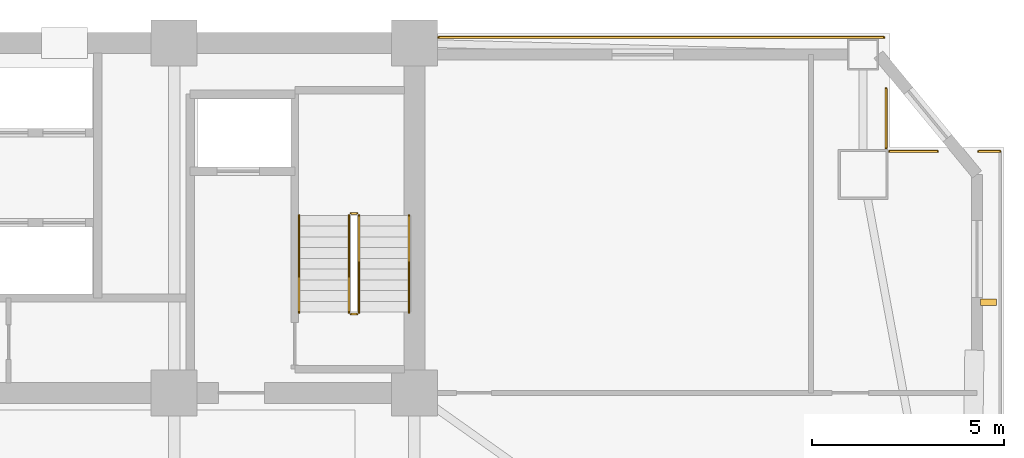
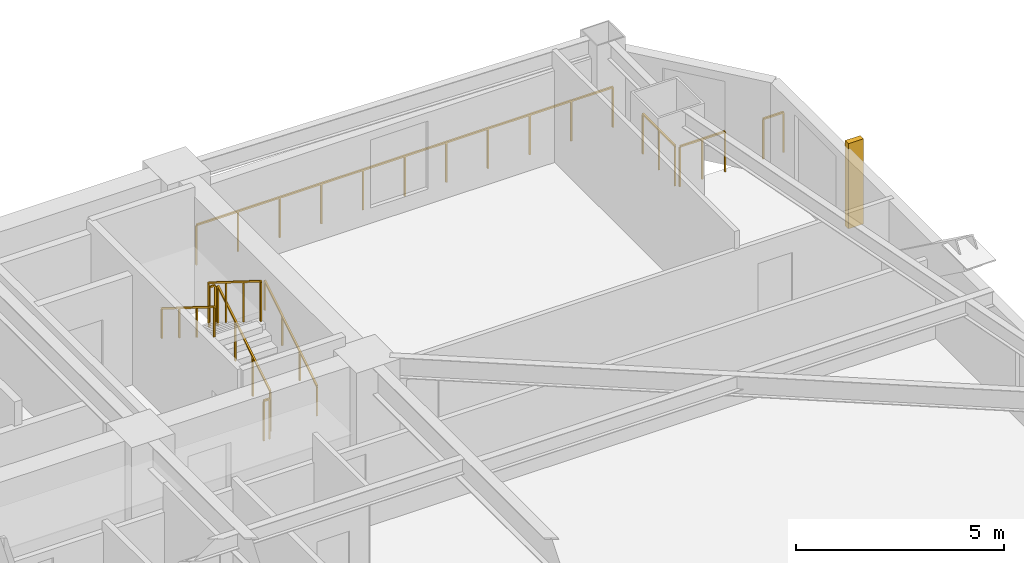
# One storey, part 17 of 17: 10 railings, 1 shading device.
"""IFC4 building model written with IfcOpenShell, lengths in metres."""

from ifc_helpers import new_model, si_unit, direction, frame, origin, origin_2d, place, context, subcontext, project, spatial, rectangle, extrude, source, transform, mapped, material, type_object, element, save


model = new_model("IFC4")

# Units and contexts
model_context = context("Model", 3, precision=1e-05, world=origin(), true_north=direction((0.0, 1.0)))
body_context = subcontext(model_context, "Body", "Model", "MODEL_VIEW")
ifc_project = project(units=[si_unit("LENGTHUNIT", "METRE"), si_unit("AREAUNIT", "SQUARE_METRE"), si_unit("VOLUMEUNIT", "CUBIC_METRE"), si_unit("PLANEANGLEUNIT", "RADIAN"), si_unit("MASSUNIT", "GRAM", prefix="KILO")], contexts=[model_context])

# Site, building, storey
site_placement = place(None, origin())
site = spatial("IfcSite", under=ifc_project, at=site_placement, CompositionType="ELEMENT")
building_placement = place(site_placement, origin())
building = spatial("IfcBuilding", under=site, at=building_placement, Name="Giltprow Tower", CompositionType="ELEMENT")
storey_placement = place(building_placement, frame((0.0, 0.0, 141.199951171875)))
storey = spatial("IfcBuildingStorey", under=building, at=storey_placement, Name="L34", CompositionType="ELEMENT", Elevation=141.199951171875)

# Railings
ifc_material = material(Name="Anodized bronze", Category="metal")
railing_type_1 = type_object("IfcRailingType", Name="RAIL-BALC-GUARD-1200", PredefinedType="BALUSTRADE", material=ifc_material)
railing_1_placement = place(storey_placement, frame((51.18505859375, 46.698974609375, 0.0)))
element("IfcRailing", 1, at=railing_1_placement, inside=storey, type_object=railing_type_1, Name="L34 Corner Apron Edge Balustrade 10", PredefinedType="BALUSTRADE", context=body_context, shape_type="SweptSolid", body=[
    extrude(rectangle(XDim=0.048095703125, YDim=0.048095703125, at=origin_2d()), frame((0.0, 0.0, 1.17578125), z_axis=(1.0, 0.0, 0.0), x_axis=(0.0, 1.0, 0.0)), (0.0, 0.0, 1.0), 11.572021484375),
    extrude(rectangle(XDim=0.0419921875, YDim=0.0419921875, at=origin_2d()), origin(), (0.0, 0.0, 1.0), 1.15185546875),
    extrude(rectangle(XDim=0.0419921875, YDim=0.0419921875, at=origin_2d()), frame((1.1572265625, 0.0, 0.0)), (0.0, 0.0, 1.0), 1.15185546875),
    extrude(rectangle(XDim=0.0419921875, YDim=0.0419921875, at=origin_2d()), frame((2.314453125, 0.0, 0.0)), (0.0, 0.0, 1.0), 1.15185546875),
    extrude(rectangle(XDim=0.0419921875, YDim=0.0419921875, at=origin_2d()), frame((3.4716796875, 0.0, 0.0)), (0.0, 0.0, 1.0), 1.15185546875),
    extrude(rectangle(XDim=0.0419921875, YDim=0.0419921875, at=origin_2d()), frame((4.62890625, 0.0, 0.0)), (0.0, 0.0, 1.0), 1.15185546875),
    extrude(rectangle(XDim=0.0419921875, YDim=0.0419921875, at=origin_2d()), frame((5.7861328125, 0.0, 0.0)), (0.0, 0.0, 1.0), 1.15185546875),
    extrude(rectangle(XDim=0.0419921875, YDim=0.0419921875, at=origin_2d()), frame((6.943115234375, 0.0, 0.0)), (0.0, 0.0, 1.0), 1.15185546875),
    extrude(rectangle(XDim=0.0419921875, YDim=0.0419921875, at=origin_2d()), frame((8.100341796875, 0.0, 0.0)), (0.0, 0.0, 1.0), 1.15185546875),
    extrude(rectangle(XDim=0.0419921875, YDim=0.0419921875, at=origin_2d()), frame((9.257568359375, 0.0, 0.0)), (0.0, 0.0, 1.0), 1.15185546875),
    extrude(rectangle(XDim=0.0419921875, YDim=0.0419921875, at=origin_2d()), frame((10.414794921875, 0.0, 0.0)), (0.0, 0.0, 1.0), 1.15185546875),
    extrude(rectangle(XDim=0.0419921875, YDim=0.0419921875, at=origin_2d()), frame((11.572021484375, 0.0, 0.0)), (0.0, 0.0, 1.0), 1.15185546875),
])
railing_2_placement = place(storey_placement, frame((62.821044921875, 45.362060546875, 0.0)))
element("IfcRailing", 2, at=railing_2_placement, inside=storey, type_object=railing_type_1, Name="L34 Corner Apron Edge Balustrade 11", PredefinedType="BALUSTRADE", context=body_context, shape_type="SweptSolid", body=[
    extrude(rectangle(XDim=0.048095703125, YDim=0.048095703125, at=origin_2d()), frame((0.0, 0.0, 1.17578125), z_axis=(0.0, -1.0, 0.0), x_axis=(1.0, 0.0, 0.0)), (0.0, 0.0, 1.0), 1.54296875),
    extrude(rectangle(XDim=0.0419921875, YDim=0.0419921875, at=origin_2d()), origin(), (0.0, 0.0, 1.0), 1.15185546875),
    extrude(rectangle(XDim=0.0419921875, YDim=0.0419921875, at=origin_2d()), frame((0.0, -0.771484375, 0.0)), (0.0, 0.0, 1.0), 1.15185546875),
    extrude(rectangle(XDim=0.0419921875, YDim=0.0419921875, at=origin_2d()), frame((0.0, -1.54296875, 0.0)), (0.0, 0.0, 1.0), 1.15185546875),
])
railing_3_placement = place(storey_placement, frame((62.906005859375, 43.73388671875, 0.0)))
element("IfcRailing", 3, at=railing_3_placement, inside=storey, type_object=railing_type_1, Name="L34 Corner Apron Edge Balustrade 12", PredefinedType="BALUSTRADE", context=body_context, shape_type="SweptSolid", body=[
    extrude(rectangle(XDim=0.048095703125, YDim=0.048095703125, at=origin_2d()), frame((0.0, 0.0, 1.17578125), z_axis=(1.0, 0.0, 0.0), x_axis=(0.0, 1.0, 0.0)), (0.0, 0.0, 1.0), 1.2548828125),
    extrude(rectangle(XDim=0.0419921875, YDim=0.0419921875, at=origin_2d()), origin(), (0.0, 0.0, 1.0), 1.15185546875),
    extrude(rectangle(XDim=0.0419921875, YDim=0.0419921875, at=origin_2d()), frame((0.62744140625, 0.0, 0.0)), (0.0, 0.0, 1.0), 1.15185546875),
    extrude(rectangle(XDim=0.0419921875, YDim=0.0419921875, at=origin_2d()), frame((1.2548828125, 0.0, 0.0)), (0.0, 0.0, 1.0), 1.15185546875),
])
railing_4_placement = place(storey_placement, frame((65.222900390625, 43.73388671875, 0.0)))
element("IfcRailing", 4, at=railing_4_placement, inside=storey, type_object=railing_type_1, Name="L34 Corner Apron Edge Balustrade 13", PredefinedType="BALUSTRADE", context=body_context, shape_type="SweptSolid", body=[
    extrude(rectangle(XDim=0.048095703125, YDim=0.048095703125, at=origin_2d()), frame((0.0, 0.0, 1.17578125), z_axis=(1.0, 0.0, 0.0), x_axis=(0.0, 1.0, 0.0)), (0.0, 0.0, 1.0), 0.56298828125),
    extrude(rectangle(XDim=0.0419921875, YDim=0.0419921875, at=origin_2d()), origin(), (0.0, 0.0, 1.0), 1.15185546875),
    extrude(rectangle(XDim=0.0419921875, YDim=0.0419921875, at=origin_2d()), frame((0.56298828125, 0.0, 0.0)), (0.0, 0.0, 1.0), 1.15185546875),
])
railing_type_2 = type_object("IfcRailingType", Name="RAIL-STAIR-GUARD-1200", PredefinedType="GUARDRAIL", material=ifc_material)
railing_5_placement = place(storey_placement, frame((49.110107421875, 39.550048828125, 0.175048828125)))
element("IfcRailing", 5, at=railing_5_placement, inside=storey, type_object=railing_type_2, Name="L34 ST-3 stair guard 1", PredefinedType="GUARDRAIL", context=body_context, shape_type="SweptSolid", body=[
    extrude(rectangle(XDim=0.048095703125, YDim=0.048095703125, at=origin_2d()), frame((0.0, 0.0, 1.17578125), z_axis=(0.0, 0.848007534815, 0.529984170421), x_axis=(-1.0, 0.0, 0.0)), (0.0, 0.0, 1.0), 2.9716796875),
    extrude(rectangle(XDim=0.0419921875, YDim=0.0419921875, at=origin_2d()), origin(), (0.0, 0.0, 1.0), 1.15185546875),
    extrude(rectangle(XDim=0.0419921875, YDim=0.0419921875, at=origin_2d()), frame((0.0, 0.840087890625, 0.52490234375)), (0.0, 0.0, 1.0), 1.15185546875),
    extrude(rectangle(XDim=0.0419921875, YDim=0.0419921875, at=origin_2d()), frame((0.0, 1.679931640625, 1.050048828125)), (0.0, 0.0, 1.0), 1.15185546875),
    extrude(rectangle(XDim=0.0419921875, YDim=0.0419921875, at=origin_2d()), frame((0.0, 2.52001953125, 1.574951171875)), (0.0, 0.0, 1.0), 1.15185546875),
])
railing_6_placement = place(storey_placement, frame((49.06005859375, 42.1201171875, 1.75)))
element("IfcRailing", 6, at=railing_6_placement, inside=storey, type_object=railing_type_2, Name="L34 ST-3 stair guard 2", PredefinedType="GUARDRAIL", context=body_context, shape_type="SweptSolid", body=[
    extrude(rectangle(XDim=0.048095703125, YDim=0.048095703125, at=origin_2d()), frame((0.0, 0.0, 1.17578125), z_axis=(-1.0, 0.0, 0.0), x_axis=(0.0, -1.0, 0.0)), (0.0, 0.0, 1.0), 0.16015625),
    extrude(rectangle(XDim=0.0419921875, YDim=0.0419921875, at=origin_2d()), origin(), (0.0, 0.0, 1.0), 1.15185546875),
    extrude(rectangle(XDim=0.0419921875, YDim=0.0419921875, at=origin_2d()), frame((-0.16015625, 0.0, 0.0)), (0.0, 0.0, 1.0), 1.15185546875),
])
railing_7_placement = place(storey_placement, frame((48.85009765625, 42.070068359375, 1.925048828125)))
element("IfcRailing", 7, at=railing_7_placement, inside=storey, type_object=railing_type_2, Name="L34 ST-3 stair guard 3", PredefinedType="GUARDRAIL", context=body_context, shape_type="SweptSolid", body=[
    extrude(rectangle(XDim=0.048095703125, YDim=0.048095703125, at=origin_2d()), frame((0.0, 0.0, 1.17578125), z_axis=(0.0, -0.848007534815, 0.529984170421), x_axis=(1.0, 0.0, 0.0)), (0.0, 0.0, 1.0), 2.9716796875),
    extrude(rectangle(XDim=0.0419921875, YDim=0.0419921875, at=origin_2d()), origin(), (0.0, 0.0, 1.0), 1.15185546875),
    extrude(rectangle(XDim=0.0419921875, YDim=0.0419921875, at=origin_2d()), frame((0.0, -0.840087890625, 0.52490234375)), (0.0, 0.0, 1.0), 1.15185546875),
    extrude(rectangle(XDim=0.0419921875, YDim=0.0419921875, at=origin_2d()), frame((0.0, -1.679931640625, 1.050048828125)), (0.0, 0.0, 1.0), 1.15185546875),
    extrude(rectangle(XDim=0.0419921875, YDim=0.0419921875, at=origin_2d()), frame((0.0, -2.52001953125, 1.574951171875)), (0.0, 0.0, 1.0), 1.15185546875),
])
railing_8_placement = place(storey_placement, frame((49.06005859375, 39.5, 0.0)))
element("IfcRailing", 8, at=railing_8_placement, inside=storey, type_object=railing_type_2, Name="L34 ST-3 stair guard 4", PredefinedType="GUARDRAIL", context=body_context, shape_type="SweptSolid", body=[
    extrude(rectangle(XDim=0.048095703125, YDim=0.048095703125, at=origin_2d()), frame((0.0, 0.0, 1.17578125), z_axis=(-1.0, 0.0, 0.0), x_axis=(0.0, -1.0, 0.0)), (0.0, 0.0, 1.0), 0.16015625),
    extrude(rectangle(XDim=0.0419921875, YDim=0.0419921875, at=origin_2d()), origin(), (0.0, 0.0, 1.0), 1.15185546875),
    extrude(rectangle(XDim=0.0419921875, YDim=0.0419921875, at=origin_2d()), frame((-0.16015625, 0.0, 0.0)), (0.0, 0.0, 1.0), 1.15185546875),
])
railing_type_3 = type_object("IfcRailingType", Name="RAIL-STAIR-HAND-900", PredefinedType="HANDRAIL", material=ifc_material)
railing_9_placement = place(storey_placement, frame((50.409912109375, 39.550048828125, 0.175048828125)))
element("IfcRailing", 9, at=railing_9_placement, inside=storey, type_object=railing_type_3, Name="L34 ST-3 stair handrail 1", PredefinedType="HANDRAIL", context=body_context, shape_type="SweptSolid", body=[
    extrude(rectangle(XDim=0.048095703125, YDim=0.048095703125, at=origin_2d()), frame((0.0, 0.0, 0.8759765625), z_axis=(0.0, 0.848007534815, 0.529984170421), x_axis=(-1.0, 0.0, 0.0)), (0.0, 0.0, 1.0), 2.9716796875),
    extrude(rectangle(XDim=0.0419921875, YDim=0.0419921875, at=origin_2d()), origin(), (0.0, 0.0, 1.0), 0.851806640625),
    extrude(rectangle(XDim=0.0419921875, YDim=0.0419921875, at=origin_2d()), frame((0.0, 0.840087890625, 0.52490234375)), (0.0, 0.0, 1.0), 0.851806640625),
    extrude(rectangle(XDim=0.0419921875, YDim=0.0419921875, at=origin_2d()), frame((0.0, 1.679931640625, 1.050048828125)), (0.0, 0.0, 1.0), 0.851806640625),
    extrude(rectangle(XDim=0.0419921875, YDim=0.0419921875, at=origin_2d()), frame((0.0, 2.52001953125, 1.574951171875)), (0.0, 0.0, 1.0), 0.851806640625),
])
railing_10_placement = place(storey_placement, frame((47.550048828125, 42.070068359375, 1.925048828125)))
element("IfcRailing", 10, at=railing_10_placement, inside=storey, type_object=railing_type_3, Name="L34 ST-3 stair handrail 2", PredefinedType="HANDRAIL", context=body_context, shape_type="SweptSolid", body=[
    extrude(rectangle(XDim=0.048095703125, YDim=0.048095703125, at=origin_2d()), frame((0.0, 0.0, 0.8759765625), z_axis=(0.0, -0.848007534815, 0.529984170421), x_axis=(1.0, 0.0, 0.0)), (0.0, 0.0, 1.0), 2.9716796875),
    extrude(rectangle(XDim=0.0419921875, YDim=0.0419921875, at=origin_2d()), origin(), (0.0, 0.0, 1.0), 0.851806640625),
    extrude(rectangle(XDim=0.0419921875, YDim=0.0419921875, at=origin_2d()), frame((0.0, -0.840087890625, 0.52490234375)), (0.0, 0.0, 1.0), 0.851806640625),
    extrude(rectangle(XDim=0.0419921875, YDim=0.0419921875, at=origin_2d()), frame((0.0, -1.679931640625, 1.050048828125)), (0.0, 0.0, 1.0), 0.851806640625),
    extrude(rectangle(XDim=0.0419921875, YDim=0.0419921875, at=origin_2d()), frame((0.0, -2.52001953125, 1.574951171875)), (0.0, 0.0, 1.0), 0.851806640625),
])

# Shading device
shading_device_type = type_object("IfcShadingDeviceType", Name="SHD-FIN-420", PredefinedType="USERDEFINED", material=ifc_material)
shared_shape = source(origin(), body_context, "Body", "SweptSolid", [
    extrude(rectangle(XDim=0.419921875, YDim=0.159912109375, at=origin_2d()), origin(), (0.0, 0.0, 1.0), 2.5),
])
shading_device_placement = place(storey_placement, frame((65.486083984375, 39.81005859375, 0.35009765625), z_axis=(0.0, 0.0, 1.0), x_axis=(1.0, 0.0, 0.0)))
element("IfcShadingDevice", 11, at=shading_device_placement, inside=storey, type_object=shading_device_type, Name="L34 E Bronze Vertical Fin 2-2", ObjectType="FIN", PredefinedType="USERDEFINED", context=body_context, shape_type="MappedRepresentation", body=[
    mapped(shared_shape, transform((0.0, 0.0, 0.0), x_axis=(1.0, 0.0, 0.0), y_axis=(0.0, 1.0, 0.0), z_axis=(0.0, 0.0, 1.0), scale=1.0)),
])

save(model, "model.ifc")
